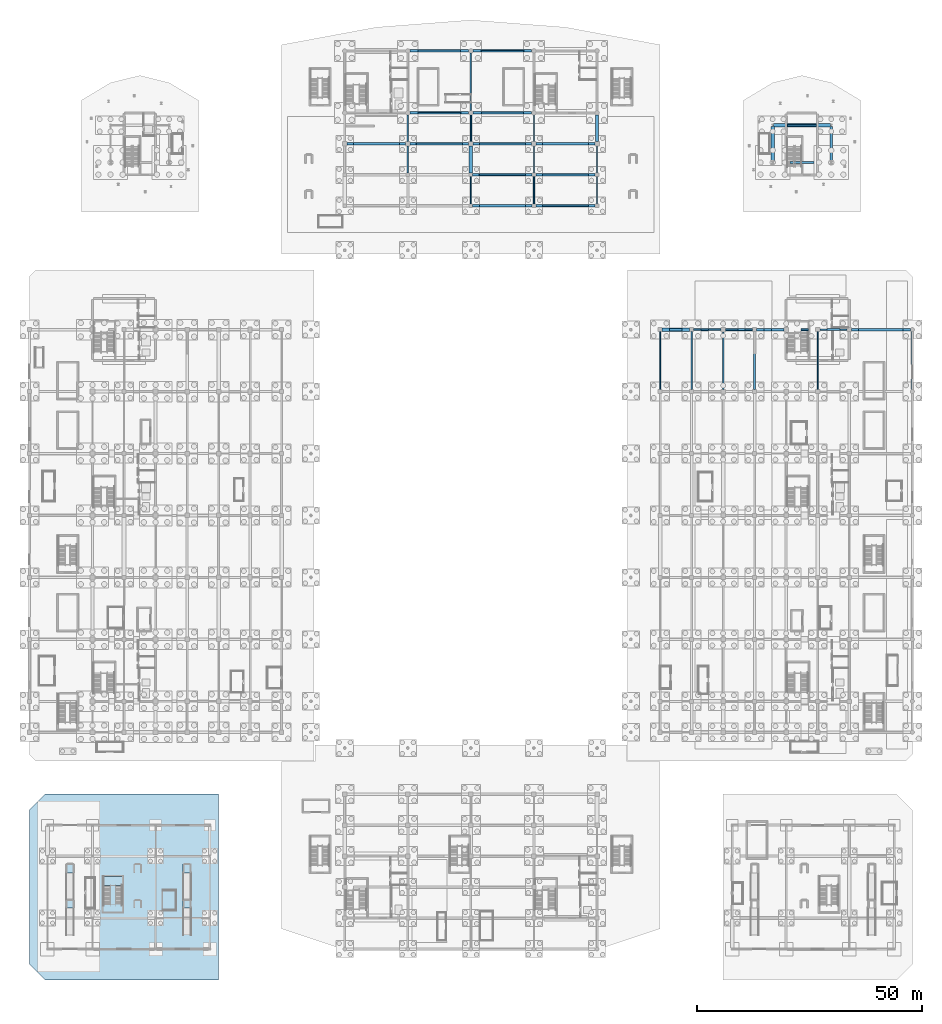
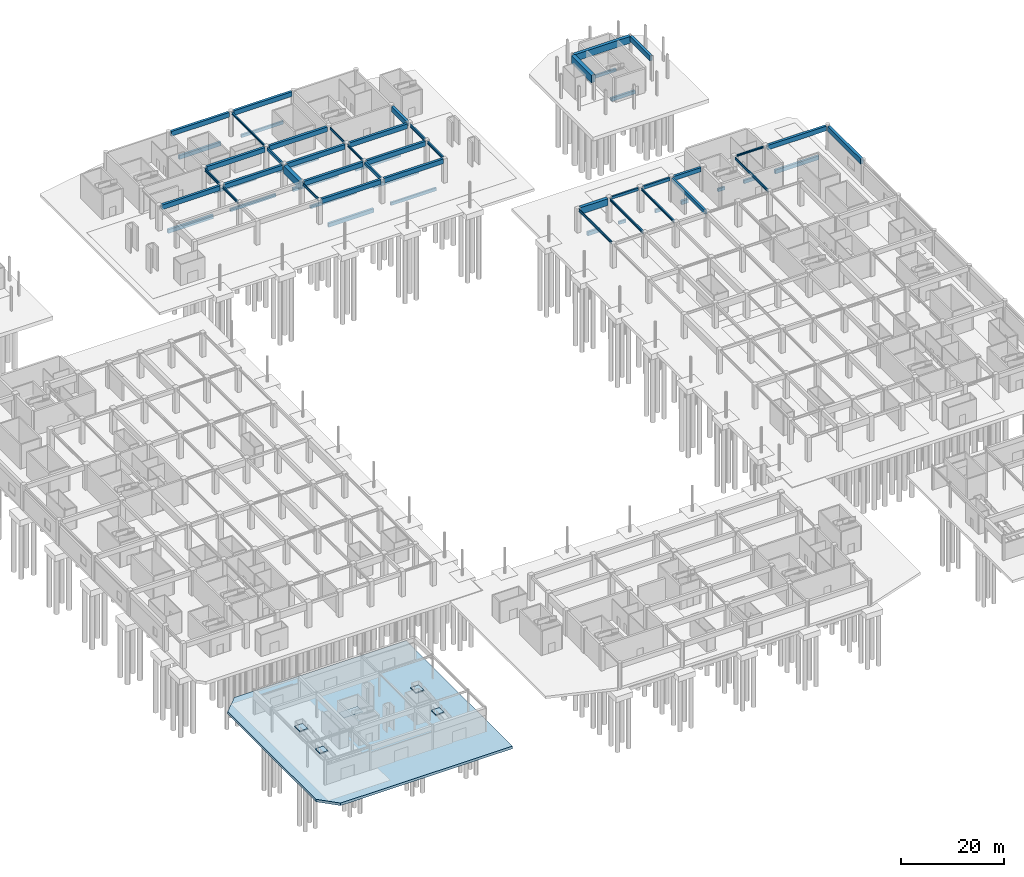
# One storey, part 35 of 62: 60 beams, 6 slabs, 3 elements without a shape of their own.
"""IFC4 building model written with IfcOpenShell, lengths in metres."""

from ifc_helpers import new_model, si_unit, direction, frame, origin, origin_2d, place, context, subcontext, project, spatial, polyline, rectangle, i_section, outline, extrude, material, layer, layer_set, material_profile, profile_set, type_object, element, aggregate, save


model = new_model("IFC4")

# Units and contexts
model_context = context("Model", 3, precision=1e-05, world=origin(), true_north=direction((0.0, 1.0)))
body_context = subcontext(model_context, "Body", "Model", "MODEL_VIEW")
ifc_project = project(units=[si_unit("LENGTHUNIT", "METRE"), si_unit("AREAUNIT", "SQUARE_METRE"), si_unit("VOLUMEUNIT", "CUBIC_METRE"), si_unit("PLANEANGLEUNIT", "RADIAN"), si_unit("MASSUNIT", "GRAM", prefix="KILO")], contexts=[model_context])

# Site, building, storey
site_placement = place(None, origin())
site = spatial("IfcSite", under=ifc_project, at=site_placement, CompositionType="ELEMENT")
building_placement = place(site_placement, origin())
building = spatial("IfcBuilding", under=site, at=building_placement, Name="Linyun Crest Stadium", CompositionType="ELEMENT")
storey_placement = place(building_placement, frame((0.0, 0.0, -6.0)))
storey = spatial("IfcBuildingStorey", under=building, at=storey_placement, Name="B1", CompositionType="ELEMENT", Elevation=-6.0)

# Beams
ifc_material_1 = material(Name="Concrete C40", Category="concrete")
ifc_material_profile_1 = material_profile(ifc_material_1, rectangle(XDim=0.35009765625, YDim=0.60009765625, at=origin_2d()), Name="RCB 600x350")
ifc_profile_set_1 = profile_set([ifc_material_profile_1], Name="Concrete C40")
beam_type_1 = type_object("IfcBeamType", Name="B01", PredefinedType="BEAM", material=ifc_profile_set_1)
beam_1_placement = place(storey_placement, frame((49.449951171875, 43.375, 5.419921875), z_axis=(1.0, 0.0, 0.0), x_axis=(0.0, 1.0, 0.0)))
element("IfcBeam", 1, at=beam_1_placement, inside=storey, type_object=beam_type_1, Name="Frame beam B01 B1 420", PredefinedType="BEAM", context=body_context, shape_type="SweptSolid", body=[
    extrude(rectangle(XDim=0.35009765625, YDim=0.60009765625, at=origin_2d()), origin(), (0.0, 0.0, 1.0), 6.050048828125),
])
ifc_material_2 = material(Name="Concrete C40", Category="concrete")
ifc_material_profile_2 = material_profile(ifc_material_2, rectangle(XDim=0.35009765625, YDim=0.64990234375, at=origin_2d()), Name="RCB 650x350")
ifc_profile_set_2 = profile_set([ifc_material_profile_2], Name="Concrete C40")
beam_type_2 = type_object("IfcBeamType", Name="B02", PredefinedType="BEAM", material=ifc_profile_set_2)
beam_2_placement = place(storey_placement, frame((0.0, 85.125, 5.425048828125), z_axis=(0.0, 1.0, 0.0), x_axis=(-1.0, 0.0, 0.0)))
element("IfcBeam", 2, at=beam_2_placement, inside=storey, type_object=beam_type_2, Name="Frame beam B02 B1 759", PredefinedType="BEAM", context=body_context, shape_type="SweptSolid", body=[
    extrude(rectangle(XDim=0.35009765625, YDim=0.64990234375, at=origin_2d()), origin(), (0.0, 0.0, 1.0), 5.875),
])
beam_3_placement = place(storey_placement, frame((14.0, 71.27490234375, 5.425048828125), z_axis=(0.0, 1.0, 0.0), x_axis=(-1.0, 0.0, 0.0)))
element("IfcBeam", 3, at=beam_3_placement, inside=storey, type_object=beam_type_2, Name="Frame beam B02 B1 761", PredefinedType="BEAM", context=body_context, shape_type="SweptSolid", body=[
    extrude(rectangle(XDim=0.35009765625, YDim=0.64990234375, at=origin_2d()), origin(), (0.0, 0.0, 1.0), 6.0751953125),
])
ifc_material_3 = material(Name="Concrete C40", Category="concrete")
ifc_material_profile_3 = material_profile(ifc_material_3, rectangle(XDim=0.39990234375, YDim=0.75, at=origin_2d()), Name="RCB 750x400")
ifc_profile_set_3 = profile_set([ifc_material_profile_3], Name="Concrete C40")
beam_type_3 = type_object("IfcBeamType", Name="B03", PredefinedType="BEAM", material=ifc_profile_set_3)
beam_4_placement = place(storey_placement, frame((56.5, 43.375, 5.344970703125), z_axis=(1.0, 0.0, 0.0), x_axis=(0.0, 1.0, 0.0)))
element("IfcBeam", 4, at=beam_4_placement, inside=storey, type_object=beam_type_3, Name="Frame beam B03 B1 421", PredefinedType="BEAM", context=body_context, shape_type="SweptSolid", body=[
    extrude(rectangle(XDim=0.39990234375, YDim=0.75, at=origin_2d()), origin(), (0.0, 0.0, 1.0), 6.050048828125),
])
ifc_material_4 = material(Name="Concrete C40", Category="concrete")
ifc_material_profile_4 = material_profile(ifc_material_4, rectangle(XDim=0.449951171875, YDim=0.85009765625, at=origin_2d()), Name="RCB 850x450")
ifc_profile_set_4 = profile_set([ifc_material_profile_4], Name="Concrete C40")
beam_type_4 = type_object("IfcBeamType", Name="B04", PredefinedType="BEAM", material=ifc_profile_set_4)
beam_5_placement = place(storey_placement, frame((63.0, 30.074951171875, 5.294921875), z_axis=(0.0, 1.0, 0.0), x_axis=(-1.0, 0.0, 0.0)))
element("IfcBeam", 5, at=beam_5_placement, inside=storey, type_object=beam_type_4, Name="Frame beam B04 B1 452", PredefinedType="BEAM", context=body_context, shape_type="SweptSolid", body=[
    extrude(rectangle(XDim=0.449951171875, YDim=0.85009765625, at=origin_2d()), origin(), (0.0, 0.0, 1.0), 12.85009765625),
])
ifc_material_5 = material(Name="Concrete C40", Category="concrete")
ifc_material_profile_5 = material_profile(ifc_material_5, rectangle(XDim=0.5, YDim=1.0, at=origin_2d()), Name="RCB 1000x500")
ifc_profile_set_5 = profile_set([ifc_material_profile_5], Name="Concrete C40")
beam_type_5 = type_object("IfcBeamType", Name="B05", PredefinedType="BEAM", material=ifc_profile_set_5)
beam_6_placement = place(storey_placement, frame((63.449951171875, 43.375, 5.219970703125), z_axis=(1.0, 0.0, 0.0), x_axis=(0.0, 1.0, 0.0)))
element("IfcBeam", 6, at=beam_6_placement, inside=storey, type_object=beam_type_5, Name="Frame beam B05 B1 422", PredefinedType="BEAM", context=body_context, shape_type="SweptSolid", body=[
    extrude(rectangle(XDim=0.5, YDim=1.0, at=origin_2d()), origin(), (0.0, 0.0, 1.0), 6.050048828125),
])
ifc_material_6 = material(Name="Steel Q355C", Category="steel")
ifc_material_profile_6 = material_profile(ifc_material_6, i_section(OverallWidth=0.300048828125, OverallDepth=0.389892578125, WebThickness=0.010009765625, FlangeThickness=0.01611328125, at=origin_2d()), Name="HM 390x300")
ifc_profile_set_6 = profile_set([ifc_material_profile_6], Name="Steel Q355C")
beam_type_6 = type_object("IfcBeamType", Name="B06", PredefinedType="BEAM", material=ifc_profile_set_6)
beam_7_placement = place(storey_placement, frame((77.449951171875, 43.375, 5.52490234375), z_axis=(1.0, 0.0, 0.0), x_axis=(0.0, 1.0, 0.0)))
element("IfcBeam", 7, at=beam_7_placement, inside=storey, type_object=beam_type_6, Name="Frame beam B06 B1 423", PredefinedType="BEAM", context=body_context, shape_type="SweptSolid", body=[
    extrude(i_section(OverallWidth=0.300048828125, OverallDepth=0.389892578125, WebThickness=0.010009765625, FlangeThickness=0.01611328125, at=origin_2d()), origin(), (0.0, 0.0, 1.0), 6.10009765625),
])
ifc_material_7 = material(Name="Steel Q355C", Category="steel")
ifc_material_profile_7 = material_profile(ifc_material_7, i_section(OverallWidth=0.300048828125, OverallDepth=0.43994140625, WebThickness=0.010986328125, FlangeThickness=0.01806640625, at=origin_2d()), Name="HM 440x300")
ifc_profile_set_7 = profile_set([ifc_material_profile_7], Name="Steel Q355C")
beam_type_7 = type_object("IfcBeamType", Name="B07", PredefinedType="BEAM", material=ifc_profile_set_7)
for number, where, z_axis, x_axis, name in (
    (8, (56.0, 30.125, 5.5), (0.0, 1.0, 0.0), (-1.0, 0.0, 0.0), "Frame beam B07 B1 445"),
    (9, (0.0, 92.0, 5.530029296875), (0.0, 1.0, 0.0), (-1.0, 0.0, 0.0), "Frame beam B07 B1 760"),
):
    element("IfcBeam", number, at=place(storey_placement, frame(where, z_axis=z_axis, x_axis=x_axis)), inside=storey, type_object=beam_type_7, Name=name, PredefinedType="BEAM", context=body_context, shape_type="SweptSolid", body=[
        extrude(i_section(OverallWidth=0.300048828125, OverallDepth=0.43994140625, WebThickness=0.010986328125, FlangeThickness=0.01806640625, at=origin_2d()), origin(), (0.0, 0.0, 1.0), 12.75),
    ])
beam_8_placement = place(storey_placement, frame((14.0, 78.14990234375, 5.530029296875), z_axis=(0.0, 1.0, 0.0), x_axis=(-1.0, 0.0, 0.0)))
element("IfcBeam", 10, at=beam_8_placement, inside=storey, type_object=beam_type_7, Name="Frame beam B07 B1 762", PredefinedType="BEAM", context=body_context, shape_type="SweptSolid", body=[
    extrude(i_section(OverallWidth=0.300048828125, OverallDepth=0.43994140625, WebThickness=0.010986328125, FlangeThickness=0.01806640625, at=origin_2d()), origin(), (0.0, 0.0, 1.0), 5.97509765625),
])
ifc_material_8 = material(Name="Steel Q355C", Category="steel")
ifc_material_profile_8 = material_profile(ifc_material_8, i_section(OverallWidth=0.300048828125, OverallDepth=0.587890625, WebThickness=0.011962890625, FlangeThickness=0.02001953125, at=origin_2d()), Name="HM 588x300")
ifc_profile_set_8 = profile_set([ifc_material_profile_8], Name="Steel Q355C")
beam_type_8 = type_object("IfcBeamType", Name="B09", PredefinedType="BEAM", material=ifc_profile_set_8)
beam_9_placement = place(storey_placement, frame((49.0, 30.074951171875, 5.426025390625), z_axis=(0.0, 1.0, 0.0), x_axis=(-1.0, 0.0, 0.0)))
element("IfcBeam", 11, at=beam_9_placement, inside=storey, type_object=beam_type_8, Name="Frame beam B09 B1 438", PredefinedType="BEAM", context=body_context, shape_type="SweptSolid", body=[
    extrude(i_section(OverallWidth=0.300048828125, OverallDepth=0.587890625, WebThickness=0.011962890625, FlangeThickness=0.02001953125, at=origin_2d()), origin(), (0.0, 0.0, 1.0), 12.85009765625),
])
beam_10_placement = place(storey_placement, frame((-14.0, 78.14990234375, 5.4560546875), z_axis=(0.0, 1.0, 0.0), x_axis=(-1.0, 0.0, 0.0)))
element("IfcBeam", 12, at=beam_10_placement, inside=storey, type_object=beam_type_8, Name="Frame beam B09 B1 755", PredefinedType="BEAM", context=body_context, shape_type="SweptSolid", body=[
    extrude(i_section(OverallWidth=0.300048828125, OverallDepth=0.587890625, WebThickness=0.011962890625, FlangeThickness=0.02001953125, at=origin_2d()), origin(), (0.0, 0.0, 1.0), 5.97509765625),
])
beam_11_placement = place(storey_placement, frame((28.0, 71.27490234375, 5.4560546875), z_axis=(0.0, 1.0, 0.0), x_axis=(-1.0, 0.0, 0.0)))
element("IfcBeam", 13, at=beam_11_placement, inside=storey, type_object=beam_type_8, Name="Frame beam B09 B1 764", PredefinedType="BEAM", context=body_context, shape_type="SweptSolid", body=[
    extrude(i_section(OverallWidth=0.300048828125, OverallDepth=0.587890625, WebThickness=0.011962890625, FlangeThickness=0.02001953125, at=origin_2d()), origin(), (0.0, 0.0, 1.0), 6.0751953125),
])
ifc_material_9 = material(Name="Steel Q355C", Category="steel")
ifc_material_profile_9 = material_profile(ifc_material_9, i_section(OverallWidth=0.199951171875, OverallDepth=0.60009765625, WebThickness=0.010986328125, FlangeThickness=0.01708984375, at=origin_2d()), Name="HN 600x200")
ifc_profile_set_9 = profile_set([ifc_material_profile_9], Name="Steel Q355C")
beam_type_9 = type_object("IfcBeamType", Name="B11", PredefinedType="BEAM", material=ifc_profile_set_9)
for number, where, z_axis, x_axis, name in (
    (14, (42.0, 30.074951171875, 5.419921875), (0.0, 1.0, 0.0), (-1.0, 0.0, 0.0), "Frame beam B11 B1 431"),
    (15, (77.0, 30.074951171875, 5.419921875), (0.0, 1.0, 0.0), (-1.0, 0.0, 0.0), "Frame beam B11 B1 463"),
):
    element("IfcBeam", number, at=place(storey_placement, frame(where, z_axis=z_axis, x_axis=x_axis)), inside=storey, type_object=beam_type_9, Name=name, PredefinedType="BEAM", context=body_context, shape_type="SweptSolid", body=[
        extrude(i_section(OverallWidth=0.199951171875, OverallDepth=0.60009765625, WebThickness=0.010986328125, FlangeThickness=0.01708984375, at=origin_2d()), origin(), (0.0, 0.0, 1.0), 12.85009765625),
    ])
beam_12_placement = place(storey_placement, frame((0.0, 71.27490234375, 5.449951171875), z_axis=(0.0, 1.0, 0.0), x_axis=(-1.0, 0.0, 0.0)))
element("IfcBeam", 16, at=beam_12_placement, inside=storey, type_object=beam_type_9, Name="Frame beam B11 B1 757", PredefinedType="BEAM", context=body_context, shape_type="SweptSolid", body=[
    extrude(i_section(OverallWidth=0.199951171875, OverallDepth=0.60009765625, WebThickness=0.010986328125, FlangeThickness=0.01708984375, at=origin_2d()), origin(), (0.0, 0.0, 1.0), 6.0751953125),
])
beam_13_placement = place(storey_placement, frame((14.0, 85.125, 5.449951171875), z_axis=(0.0, 1.0, 0.0), x_axis=(-1.0, 0.0, 0.0)))
element("IfcBeam", 17, at=beam_13_placement, inside=storey, type_object=beam_type_9, Name="Frame beam B11 B1 763", PredefinedType="BEAM", context=body_context, shape_type="SweptSolid", body=[
    extrude(i_section(OverallWidth=0.199951171875, OverallDepth=0.60009765625, WebThickness=0.010986328125, FlangeThickness=0.01708984375, at=origin_2d()), origin(), (0.0, 0.0, 1.0), 5.875),
])
ifc_material_10 = material(Name="Steel Q355C", Category="steel")
ifc_material_profile_10 = material_profile(ifc_material_10, i_section(OverallWidth=0.300048828125, OverallDepth=0.699951171875, WebThickness=0.012939453125, FlangeThickness=0.02392578125, at=origin_2d()), Name="HN 700x300")
ifc_profile_set_10 = profile_set([ifc_material_profile_10], Name="Steel Q355C")
beam_type_10 = type_object("IfcBeamType", Name="B12", PredefinedType="BEAM", material=ifc_profile_set_10)
beam_14_placement = place(storey_placement, frame((-14.0, 85.125, 5.39990234375), z_axis=(0.0, 1.0, 0.0), x_axis=(-1.0, 0.0, 0.0)))
element("IfcBeam", 18, at=beam_14_placement, inside=storey, type_object=beam_type_10, Name="Frame beam B12 B1 756", PredefinedType="BEAM", context=body_context, shape_type="SweptSolid", body=[
    extrude(i_section(OverallWidth=0.300048828125, OverallDepth=0.699951171875, WebThickness=0.012939453125, FlangeThickness=0.02392578125, at=origin_2d()), origin(), (0.0, 0.0, 1.0), 5.875),
])
beam_15_placement = place(storey_placement, frame((28.0, 78.14990234375, 5.39990234375), z_axis=(0.0, 1.0, 0.0), x_axis=(-1.0, 0.0, 0.0)))
element("IfcBeam", 19, at=beam_15_placement, inside=storey, type_object=beam_type_10, Name="Frame beam B12 B1 765", PredefinedType="BEAM", context=body_context, shape_type="SweptSolid", body=[
    extrude(i_section(OverallWidth=0.300048828125, OverallDepth=0.699951171875, WebThickness=0.012939453125, FlangeThickness=0.02392578125, at=origin_2d()), origin(), (0.0, 0.0, 1.0), 5.97509765625),
])
ifc_material_11 = material(Name="Concrete C50", Category="concrete")
ifc_material_profile_11 = material_profile(ifc_material_11, rectangle(XDim=0.699951171875, YDim=1.60009765625, at=origin_2d()), Name="RCB 1600x700")
ifc_profile_set_11 = profile_set([ifc_material_profile_11], Name="Concrete C50")
beam_type_11 = type_object("IfcBeamType", Name="B13", PredefinedType="BEAM", material=ifc_profile_set_11)
beam_16_placement = place(storey_placement, frame((42.449951171875, 43.375, 4.919921875), z_axis=(1.0, 0.0, 0.0), x_axis=(0.0, 1.0, 0.0)))
element("IfcBeam", 20, at=beam_16_placement, inside=storey, type_object=beam_type_11, Name="Frame beam B13 B1 419", PredefinedType="BEAM", context=body_context, shape_type="SweptSolid", body=[
    extrude(rectangle(XDim=0.699951171875, YDim=1.60009765625, at=origin_2d()), origin(), (0.0, 0.0, 1.0), 6.10009765625),
])
beam_17_placement = place(storey_placement, frame((67.2041015625, 88.75, 4.919921875), z_axis=(1.0, 0.0, 0.0), x_axis=(0.0, 1.0, 0.0)))
element("IfcBeam", 21, at=beam_17_placement, inside=storey, type_object=beam_type_11, Name="Frame beam B13 B1 948", PredefinedType="BEAM", context=body_context, shape_type="SweptSolid", body=[
    extrude(rectangle(XDim=0.699951171875, YDim=1.60009765625, at=origin_2d()), origin(), (0.0, 0.0, 1.0), 12.591796875),
])
ifc_material_12 = material(Name="Concrete C50", Category="concrete")
ifc_material_profile_12 = material_profile(ifc_material_12, rectangle(XDim=0.800048828125, YDim=1.800048828125, at=origin_2d()), Name="RCB 1800x800")
ifc_profile_set_12 = profile_set([ifc_material_profile_12], Name="Concrete C50")
beam_type_12 = type_object("IfcBeamType", Name="B14", PredefinedType="BEAM", material=ifc_profile_set_12)
beam_18_placement = place(storey_placement, frame((0.0, 78.14990234375, 4.85009765625), z_axis=(0.0, 1.0, 0.0), x_axis=(-1.0, 0.0, 0.0)))
element("IfcBeam", 22, at=beam_18_placement, inside=storey, type_object=beam_type_12, Name="Frame beam B14 B1 758", PredefinedType="BEAM", context=body_context, shape_type="SweptSolid", body=[
    extrude(rectangle(XDim=0.800048828125, YDim=1.800048828125, at=origin_2d()), origin(), (0.0, 0.0, 1.0), 5.97509765625),
])
beam_19_placement = place(storey_placement, frame((67.0, 80.7490234375, 4.820068359375), z_axis=(0.0, 1.0, 0.0), x_axis=(-1.0, 0.0, 0.0)))
element("IfcBeam", 23, at=beam_19_placement, inside=storey, type_object=beam_type_12, Name="Frame beam B14 B1 951", PredefinedType="BEAM", context=body_context, shape_type="SweptSolid", body=[
    extrude(rectangle(XDim=0.800048828125, YDim=1.800048828125, at=origin_2d()), origin(), (0.0, 0.0, 1.0), 7.786865234375),
])
ifc_material_13 = material(Name="Concrete C40", Category="concrete")
ifc_material_profile_13 = material_profile(ifc_material_13, rectangle(XDim=0.39990234375, YDim=0.699951171875, at=origin_2d()), Name="RCB 700x400")
ifc_profile_set_13 = profile_set([ifc_material_profile_13], Name="Concrete C40")
beam_type_13 = type_object("IfcBeamType", Name="GB01", PredefinedType="BEAM", material=ifc_profile_set_13)
for number, where, z_axis, x_axis, name in (
    (24, (51.10400390625, 43.375, -1.10009765625), (1.0, 0.0, 0.0), (0.0, 1.0, 0.0), "Ground beam GB01 91"),
    (25, (73.303955078125, 43.375, -1.10009765625), (1.0, 0.0, 0.0), (0.0, 1.0, 0.0), "Ground beam GB01 94"),
):
    element("IfcBeam", number, at=place(storey_placement, frame(where, z_axis=z_axis, x_axis=x_axis)), inside=storey, type_object=beam_type_13, Name=name, PredefinedType="BEAM", context=body_context, shape_type="SweptSolid", body=[
        extrude(rectangle(XDim=0.39990234375, YDim=0.699951171875, at=origin_2d()), origin(), (0.0, 0.0, 1.0), 1.592041015625),
    ])
for number, where, z_axis, x_axis, name in (
    (26, (15.904052734375, 70.875, -0.949951171875), (1.0, 0.0, 0.0), (0.0, 1.0, 0.0), "Ground beam GB01 100"),
    (27, (1.904052734375, 77.75, -0.949951171875), (1.0, 0.0, 0.0), (0.0, 1.0, 0.0), "Ground beam GB01 103"),
    (28, (-12.095947265625, 84.625, -0.949951171875), (1.0, 0.0, 0.0), (0.0, 1.0, 0.0), "Ground beam GB01 106"),
):
    element("IfcBeam", number, at=place(storey_placement, frame(where, z_axis=z_axis, x_axis=x_axis)), inside=storey, type_object=beam_type_13, Name=name, PredefinedType="BEAM", context=body_context, shape_type="SweptSolid", body=[
        extrude(rectangle(XDim=0.39990234375, YDim=0.699951171875, at=origin_2d()), origin(), (0.0, 0.0, 1.0), 10.19189453125),
    ])
for number, where, z_axis, x_axis, name in (
    (29, (-11.696044921875, 91.5, -0.949951171875), (1.0, 0.0, 0.0), (0.0, 1.0, 0.0), "Ground beam GB01 109"),
    (30, (2.303955078125, 105.25, -0.949951171875), (1.0, 0.0, 0.0), (0.0, 1.0, 0.0), "Ground beam GB01 112"),
):
    element("IfcBeam", number, at=place(storey_placement, frame(where, z_axis=z_axis, x_axis=x_axis)), inside=storey, type_object=beam_type_13, Name=name, PredefinedType="BEAM", context=body_context, shape_type="SweptSolid", body=[
        extrude(rectangle(XDim=0.39990234375, YDim=0.699951171875, at=origin_2d()), origin(), (0.0, 0.0, 1.0), 9.39208984375),
    ])
beam_20_placement = place(storey_placement, frame((70.303955078125, 88.75, -1.25), z_axis=(1.0, 0.0, 0.0), x_axis=(0.0, 1.0, 0.0)))
element("IfcBeam", 31, at=beam_20_placement, inside=storey, type_object=beam_type_13, Name="Ground beam GB01 136", PredefinedType="BEAM", context=body_context, shape_type="SweptSolid", body=[
    extrude(rectangle(XDim=0.39990234375, YDim=0.699951171875, at=origin_2d()), origin(), (0.0, 0.0, 1.0), 6.39208984375),
])
ifc_material_14 = material(Name="Concrete C40", Category="concrete")
ifc_material_profile_14 = material_profile(ifc_material_14, rectangle(XDim=0.449951171875, YDim=0.800048828125, at=origin_2d()), Name="RCB 800x450")
ifc_profile_set_14 = profile_set([ifc_material_profile_14], Name="Concrete C40")
beam_type_14 = type_object("IfcBeamType", Name="GB02", PredefinedType="BEAM", material=ifc_profile_set_14)
beam_21_placement = place(storey_placement, frame((59.303955078125, 43.375, -1.14990234375), z_axis=(1.0, 0.0, 0.0), x_axis=(0.0, 1.0, 0.0)))
element("IfcBeam", 32, at=beam_21_placement, inside=storey, type_object=beam_type_14, Name="Ground beam GB02 92", PredefinedType="BEAM", context=body_context, shape_type="SweptSolid", body=[
    extrude(rectangle(XDim=0.449951171875, YDim=0.800048828125, at=origin_2d()), origin(), (0.0, 0.0, 1.0), 1.592041015625),
])
beam_22_placement = place(storey_placement, frame((79.10400390625, 43.375, -1.14990234375), z_axis=(1.0, 0.0, 0.0), x_axis=(0.0, 1.0, 0.0)))
element("IfcBeam", 33, at=beam_22_placement, inside=storey, type_object=beam_type_14, Name="Ground beam GB02 95", PredefinedType="BEAM", context=body_context, shape_type="SweptSolid", body=[
    extrude(rectangle(XDim=0.449951171875, YDim=0.800048828125, at=origin_2d()), origin(), (0.0, 0.0, 1.0), 2.7919921875),
])
for number, where, z_axis, x_axis, name in (
    (34, (15.904052734375, 77.75, -1.0), (1.0, 0.0, 0.0), (0.0, 1.0, 0.0), "Ground beam GB02 104"),
    (35, (1.904052734375, 84.625, -1.0), (1.0, 0.0, 0.0), (0.0, 1.0, 0.0), "Ground beam GB02 107"),
):
    element("IfcBeam", number, at=place(storey_placement, frame(where, z_axis=z_axis, x_axis=x_axis)), inside=storey, type_object=beam_type_14, Name=name, PredefinedType="BEAM", context=body_context, shape_type="SweptSolid", body=[
        extrude(rectangle(XDim=0.449951171875, YDim=0.800048828125, at=origin_2d()), origin(), (0.0, 0.0, 1.0), 10.19189453125),
    ])
beam_23_placement = place(storey_placement, frame((2.303955078125, 91.5, -1.0), z_axis=(1.0, 0.0, 0.0), x_axis=(0.0, 1.0, 0.0)))
element("IfcBeam", 36, at=beam_23_placement, inside=storey, type_object=beam_type_14, Name="Ground beam GB02 110", PredefinedType="BEAM", context=body_context, shape_type="SweptSolid", body=[
    extrude(rectangle(XDim=0.449951171875, YDim=0.800048828125, at=origin_2d()), origin(), (0.0, 0.0, 1.0), 9.39208984375),
])
beam_24_placement = place(storey_placement, frame((70.803955078125, 80.5, -1.300048828125), z_axis=(1.0, 0.0, 0.0), x_axis=(0.0, 1.0, 0.0)))
element("IfcBeam", 37, at=beam_24_placement, inside=storey, type_object=beam_type_14, Name="Ground beam GB02 134", PredefinedType="BEAM", context=body_context, shape_type="SweptSolid", body=[
    extrude(rectangle(XDim=0.449951171875, YDim=0.800048828125, at=origin_2d()), origin(), (0.0, 0.0, 1.0), 5.39208984375),
])
ifc_material_15 = material(Name="Concrete C40", Category="concrete")
ifc_material_profile_15 = material_profile(ifc_material_15, rectangle(XDim=0.5, YDim=0.89990234375, at=origin_2d()), Name="RCB 900x500")
ifc_profile_set_15 = profile_set([ifc_material_profile_15], Name="Concrete C40")
beam_type_15 = type_object("IfcBeamType", Name="GB03", PredefinedType="BEAM", material=ifc_profile_set_15)
beam_25_placement = place(storey_placement, frame((44.10400390625, 43.375, -1.199951171875), z_axis=(1.0, 0.0, 0.0), x_axis=(0.0, 1.0, 0.0)))
element("IfcBeam", 38, at=beam_25_placement, inside=storey, type_object=beam_type_15, Name="Ground beam GB03 90", PredefinedType="BEAM", context=body_context, shape_type="SweptSolid", body=[
    extrude(rectangle(XDim=0.5, YDim=0.89990234375, at=origin_2d()), origin(), (0.0, 0.0, 1.0), 2.7919921875),
])
beam_26_placement = place(storey_placement, frame((65.10400390625, 43.375, -1.199951171875), z_axis=(1.0, 0.0, 0.0), x_axis=(0.0, 1.0, 0.0)))
element("IfcBeam", 39, at=beam_26_placement, inside=storey, type_object=beam_type_15, Name="Ground beam GB03 93", PredefinedType="BEAM", context=body_context, shape_type="SweptSolid", body=[
    extrude(rectangle(XDim=0.5, YDim=0.89990234375, at=origin_2d()), origin(), (0.0, 0.0, 1.0), 1.592041015625),
])
beam_27_placement = place(storey_placement, frame((86.10400390625, 43.375, -1.199951171875), z_axis=(1.0, 0.0, 0.0), x_axis=(0.0, 1.0, 0.0)))
element("IfcBeam", 40, at=beam_27_placement, inside=storey, type_object=beam_type_15, Name="Ground beam GB03 96", PredefinedType="BEAM", context=body_context, shape_type="SweptSolid", body=[
    extrude(rectangle(XDim=0.5, YDim=0.89990234375, at=origin_2d()), origin(), (0.0, 0.0, 1.0), 9.7919921875),
])
for number, where, z_axis, x_axis, name in (
    (41, (1.904052734375, 70.875, -1.050048828125), (1.0, 0.0, 0.0), (0.0, 1.0, 0.0), "Ground beam GB03 99"),
    (42, (-26.095947265625, 84.625, -1.050048828125), (1.0, 0.0, 0.0), (0.0, 1.0, 0.0), "Ground beam GB03 105"),
    (43, (15.904052734375, 84.625, -1.050048828125), (1.0, 0.0, 0.0), (0.0, 1.0, 0.0), "Ground beam GB03 108"),
):
    element("IfcBeam", number, at=place(storey_placement, frame(where, z_axis=z_axis, x_axis=x_axis)), inside=storey, type_object=beam_type_15, Name=name, PredefinedType="BEAM", context=body_context, shape_type="SweptSolid", body=[
        extrude(rectangle(XDim=0.5, YDim=0.89990234375, at=origin_2d()), origin(), (0.0, 0.0, 1.0), 10.19189453125),
    ])
beam_28_placement = place(storey_placement, frame((-11.696044921875, 105.25, -1.050048828125), z_axis=(1.0, 0.0, 0.0), x_axis=(0.0, 1.0, 0.0)))
element("IfcBeam", 44, at=beam_28_placement, inside=storey, type_object=beam_type_15, Name="Ground beam GB03 111", PredefinedType="BEAM", context=body_context, shape_type="SweptSolid", body=[
    extrude(rectangle(XDim=0.5, YDim=0.89990234375, at=origin_2d()), origin(), (0.0, 0.0, 1.0), 9.39208984375),
])
ifc_material_16 = material(Name="Concrete C50", Category="concrete")
ifc_material_profile_16 = material_profile(ifc_material_16, rectangle(XDim=0.550048828125, YDim=1.10009765625, at=origin_2d()), Name="RCB 1100x550")
ifc_profile_set_16 = profile_set([ifc_material_profile_16], Name="Concrete C50")
beam_type_16 = type_object("IfcBeamType", Name="TB01", PredefinedType="USERDEFINED", material=ifc_profile_set_16)
beam_29_placement = place(storey_placement, frame((84.449951171875, 43.375, 5.169921875), z_axis=(1.0, 0.0, 0.0), x_axis=(0.0, 1.0, 0.0)))
element("IfcBeam", 45, at=beam_29_placement, inside=storey, type_object=beam_type_16, Name="Frame beam TB01 B1 424", ObjectType="GIRDER", PredefinedType="USERDEFINED", context=body_context, shape_type="SweptSolid", body=[
    extrude(rectangle(XDim=0.550048828125, YDim=1.10009765625, at=origin_2d()), origin(), (0.0, 0.0, 1.0), 13.10009765625),
])
for number, where, z_axis, x_axis, name in (
    (46, (0.39990234375, 70.875, 5.199951171875), (1.0, 0.0, 0.0), (0.0, 1.0, 0.0), "Frame beam TB01 B1 737"),
    (47, (14.39990234375, 70.875, 5.199951171875), (1.0, 0.0, 0.0), (0.0, 1.0, 0.0), "Frame beam TB01 B1 738"),
    (48, (0.39990234375, 77.75, 5.199951171875), (1.0, 0.0, 0.0), (0.0, 1.0, 0.0), "Frame beam TB01 B1 741"),
    (49, (14.39990234375, 77.75, 5.199951171875), (1.0, 0.0, 0.0), (0.0, 1.0, 0.0), "Frame beam TB01 B1 742"),
):
    element("IfcBeam", number, at=place(storey_placement, frame(where, z_axis=z_axis, x_axis=x_axis)), inside=storey, type_object=beam_type_16, Name=name, ObjectType="GIRDER", PredefinedType="USERDEFINED", context=body_context, shape_type="SweptSolid", body=[
        extrude(rectangle(XDim=0.550048828125, YDim=1.10009765625, at=origin_2d()), origin(), (0.0, 0.0, 1.0), 13.2001953125),
    ])
for number, where, z_axis, x_axis, name in (
    (50, (-27.5, 84.625, 5.199951171875), (1.0, 0.0, 0.0), (0.0, 1.0, 0.0), "Frame beam TB01 B1 743"),
    (51, (-13.5, 84.625, 5.199951171875), (1.0, 0.0, 0.0), (0.0, 1.0, 0.0), "Frame beam TB01 B1 744"),
    (52, (0.5, 84.625, 5.199951171875), (1.0, 0.0, 0.0), (0.0, 1.0, 0.0), "Frame beam TB01 B1 745"),
    (53, (14.5, 84.625, 5.199951171875), (1.0, 0.0, 0.0), (0.0, 1.0, 0.0), "Frame beam TB01 B1 746"),
    (54, (-13.5, 91.5, 5.199951171875), (1.0, 0.0, 0.0), (0.0, 1.0, 0.0), "Frame beam TB01 B1 747"),
    (55, (0.5, 91.5, 5.199951171875), (1.0, 0.0, 0.0), (0.0, 1.0, 0.0), "Frame beam TB01 B1 748"),
    (56, (-13.5, 105.25, 5.199951171875), (1.0, 0.0, 0.0), (0.0, 1.0, 0.0), "Frame beam TB01 B1 749"),
    (57, (0.5, 105.25, 5.199951171875), (1.0, 0.0, 0.0), (0.0, 1.0, 0.0), "Frame beam TB01 B1 750"),
):
    element("IfcBeam", number, at=place(storey_placement, frame(where, z_axis=z_axis, x_axis=x_axis)), inside=storey, type_object=beam_type_16, Name=name, ObjectType="GIRDER", PredefinedType="USERDEFINED", context=body_context, shape_type="SweptSolid", body=[
        extrude(rectangle(XDim=0.550048828125, YDim=1.10009765625, at=origin_2d()), origin(), (0.0, 0.0, 1.0), 13.0),
    ])
ifc_material_17 = material(Name="Concrete C50", Category="concrete")
ifc_material_profile_17 = material_profile(ifc_material_17, rectangle(XDim=0.60009765625, YDim=1.199951171875, at=origin_2d()), Name="RCB 1200x600")
ifc_profile_set_17 = profile_set([ifc_material_profile_17], Name="Concrete C50")
beam_type_17 = type_object("IfcBeamType", Name="TB02", PredefinedType="USERDEFINED", material=ifc_profile_set_17)
beam_30_placement = place(storey_placement, frame((98.0, 30.074951171875, 5.1201171875), z_axis=(0.0, 1.0, 0.0), x_axis=(-1.0, 0.0, 0.0)))
element("IfcBeam", 58, at=beam_30_placement, inside=storey, type_object=beam_type_17, Name="Frame beam TB02 B1 474", ObjectType="GIRDER", PredefinedType="USERDEFINED", context=body_context, shape_type="SweptSolid", body=[
    extrude(rectangle(XDim=0.60009765625, YDim=1.199951171875, at=origin_2d()), origin(), (0.0, 0.0, 1.0), 12.85009765625),
])
beam_31_placement = place(storey_placement, frame((28.0, 85.125, 5.14990234375), z_axis=(0.0, 1.0, 0.0), x_axis=(-1.0, 0.0, 0.0)))
element("IfcBeam", 59, at=beam_31_placement, inside=storey, type_object=beam_type_17, Name="Frame beam TB02 B1 766", ObjectType="GIRDER", PredefinedType="USERDEFINED", context=body_context, shape_type="SweptSolid", body=[
    extrude(rectangle(XDim=0.60009765625, YDim=1.199951171875, at=origin_2d()), origin(), (0.0, 0.0, 1.0), 5.875),
])
beam_32_placement = place(storey_placement, frame((80.0, 80.7490234375, 5.1201171875), z_axis=(0.0, 1.0, 0.0), x_axis=(-1.0, 0.0, 0.0)))
element("IfcBeam", 60, at=beam_32_placement, inside=storey, type_object=beam_type_17, Name="Frame beam TB02 B1 952", ObjectType="GIRDER", PredefinedType="USERDEFINED", context=body_context, shape_type="SweptSolid", body=[
    extrude(rectangle(XDim=0.60009765625, YDim=1.199951171875, at=origin_2d()), origin(), (0.0, 0.0, 1.0), 7.786865234375),
])

# Slab
ifc_material_18 = material(Name="Concrete C40", Category="concrete")
ifc_layer_1 = layer(ifc_material_18, 0.60009765625)
ifc_layer_set_1 = layer_set([ifc_layer_1], Name="Concrete C40")
slab_type_1 = type_object("IfcSlabType", Name="BS01", PredefinedType="BASESLAB", material=ifc_layer_set_1)
slab_1_placement = place(storey_placement, frame((0.0, 0.0, -0.60009765625)))
element("IfcSlab", 61, at=slab_1_placement, inside=storey, type_object=slab_type_1, Name="Slab BS01 V6 B1 62", PredefinedType="BASESLAB", context=body_context, shape_type="SweptSolid", body=[
    extrude(outline(polyline([(-94.5, -101.0), (-56.0, -101.0), (-56.0, -59.75), (-94.5, -59.75), (-98.0, -63.25), (-98.0, -97.5), (-94.5, -101.0)])), origin(), (0.0, 0.0, 1.0), 0.60009765625),
])

# Stair, slab
ifc_material_19 = material(Name="Concrete C40", Category="concrete")
stair_type = type_object("IfcStairType", Name="STA01", PredefinedType="HALF_TURN_STAIR", material=ifc_material_19)
stair_placement = place(storey_placement, origin())
stair = element("IfcStair", 62, at=stair_placement, inside=storey, type_object=stair_type, Name="Vomitory evacuation stair STR-30-B1", PredefinedType="HALF_TURN_STAIR")
ifc_material_20 = material(Name="Concrete C40", Category="concrete")
ifc_layer_2 = layer(ifc_material_20, 0.179931640625)
ifc_layer_set_2 = layer_set([ifc_layer_2], Name="Concrete C40")
slab_type_2 = type_object("IfcSlabType", Name="LS01", PredefinedType="LANDING", material=ifc_layer_set_2)
slab_2_placement = place(storey_placement, frame((0.0, 0.0, 2.820068359375)))
slab_2 = element("IfcSlab", 63, at=slab_2_placement, type_object=slab_type_2, Name="STR-30-B1 half-landing", PredefinedType="LANDING", context=body_context, shape_type="SweptSolid", body=[
    extrude(outline(polyline([(-81.60009765625, -80.030029296875), (-77.39990234375, -80.030029296875), (-77.39990234375, -78.0), (-81.60009765625, -78.0), (-81.60009765625, -80.030029296875)])), origin(), (0.0, 0.0, 1.0), 0.179931640625),
])
aggregate(stair, [slab_2])

# Ramp, slabs
ifc_material_21 = material(Name="Concrete C40", Category="concrete")
ramp_type = type_object("IfcRampType", Name="RMP01", PredefinedType="HALF_TURN_RAMP", material=ifc_material_21)
ramp_1_placement = place(storey_placement, origin())
ramp_1 = element("IfcRamp", 64, at=ramp_1_placement, inside=storey, type_object=ramp_type, Name="Accessible pedestrian ramp RMP-01", PredefinedType="HALF_TURN_RAMP")
ifc_material_22 = material(Name="Concrete C40", Category="concrete")
ifc_layer_3 = layer(ifc_material_22, 0.199951171875)
ifc_layer_set_3 = layer_set([ifc_layer_3], Name="Concrete C40")
slab_type_3 = type_object("IfcSlabType", Name="LS02", PredefinedType="LANDING", material=ifc_layer_set_3)
slab_3_placement = place(storey_placement, frame((0.0, 0.0, 0.300048828125)))
slab_3 = element("IfcSlab", 65, at=slab_3_placement, type_object=slab_type_3, Name="RMP-01 mid-landing", PredefinedType="LANDING", context=body_context, shape_type="SweptSolid", body=[
    extrude(outline(polyline([(-89.89990234375, -85.0), (-88.10009765625, -85.0), (-88.10009765625, -83.199951171875), (-89.89990234375, -83.199951171875), (-89.89990234375, -85.0)])), origin(), (0.0, 0.0, 1.0), 0.199951171875),
])
slab_4_placement = place(storey_placement, frame((0.0, 0.0, 0.800048828125)))
slab_4 = element("IfcSlab", 66, at=slab_4_placement, type_object=slab_type_3, Name="RMP-01 top-landing", PredefinedType="LANDING", context=body_context, shape_type="SweptSolid", body=[
    extrude(outline(polyline([(-89.89990234375, -77.199951171875), (-88.10009765625, -77.199951171875), (-88.10009765625, -75.199951171875), (-89.89990234375, -75.199951171875), (-89.89990234375, -77.199951171875)])), origin(), (0.0, 0.0, 1.0), 0.199951171875),
])
aggregate(ramp_1, [slab_3, slab_4])

ramp_2_placement = place(storey_placement, origin())
ramp_2 = element("IfcRamp", 67, at=ramp_2_placement, inside=storey, type_object=ramp_type, Name="Accessible pedestrian ramp RMP-02", PredefinedType="HALF_TURN_RAMP")
slab_5_placement = place(storey_placement, frame((0.0, 0.0, 0.300048828125)))
slab_5 = element("IfcSlab", 68, at=slab_5_placement, type_object=slab_type_3, Name="RMP-02 mid-landing", PredefinedType="LANDING", context=body_context, shape_type="SweptSolid", body=[
    extrude(outline(polyline([(-63.89990234375, -85.0), (-62.10009765625, -85.0), (-62.10009765625, -83.199951171875), (-63.89990234375, -83.199951171875), (-63.89990234375, -85.0)])), origin(), (0.0, 0.0, 1.0), 0.199951171875),
])
slab_6_placement = place(storey_placement, frame((0.0, 0.0, 0.800048828125)))
slab_6 = element("IfcSlab", 69, at=slab_6_placement, type_object=slab_type_3, Name="RMP-02 top-landing", PredefinedType="LANDING", context=body_context, shape_type="SweptSolid", body=[
    extrude(outline(polyline([(-63.89990234375, -77.199951171875), (-62.10009765625, -77.199951171875), (-62.10009765625, -75.199951171875), (-63.89990234375, -75.199951171875), (-63.89990234375, -77.199951171875)])), origin(), (0.0, 0.0, 1.0), 0.199951171875),
])
aggregate(ramp_2, [slab_5, slab_6])

save(model, "model.ifc")
